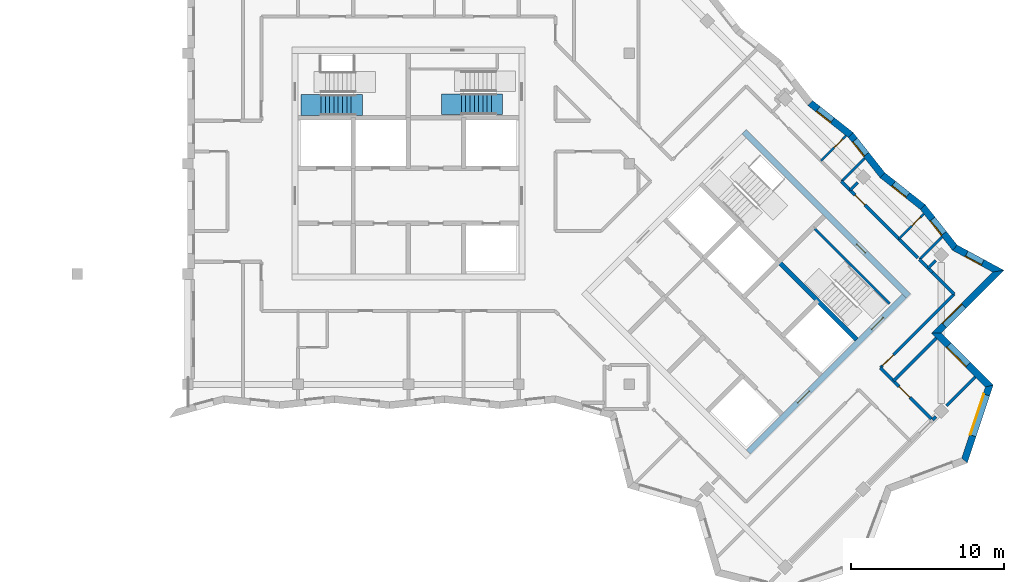
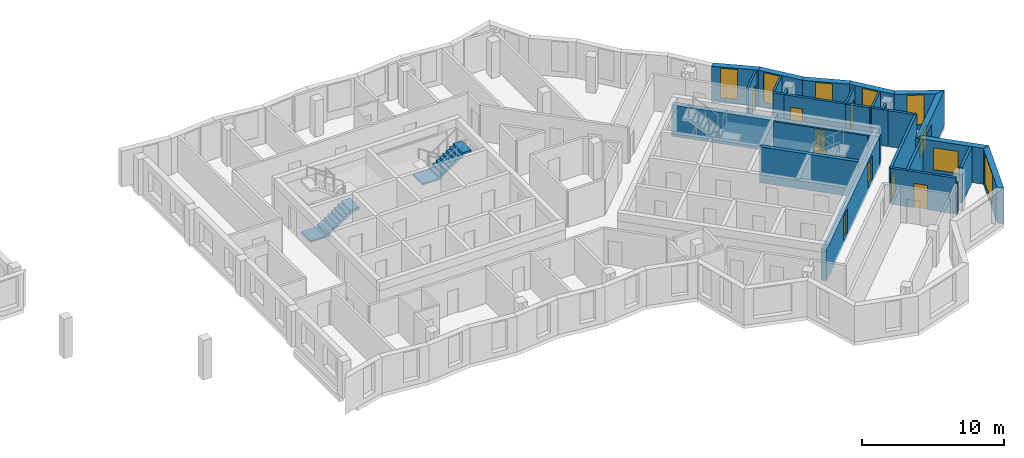
# One storey, part 7 of 12: 28 walls, 8 doors, 8 windows, 2 stair flights, 16 openings, 2 elements without a shape of their own.
"""IFC4 building model written with IfcOpenShell, lengths in metres."""

from ifc_helpers import new_model, si_unit, direction, frame, frame_2d, origin, place, context, subcontext, project, spatial, polyline, rectangle, outline, extrude, material, layer, layer_set, type_object, element, fill, aggregate, save


model = new_model("IFC4")

# Units and contexts
model_context = context("Model", 3, precision=1e-05, world=origin(), true_north=direction((0.0, 1.0)))
body_context = subcontext(model_context, "Body", "Model", "MODEL_VIEW")
ifc_project = project(units=[si_unit("LENGTHUNIT", "METRE"), si_unit("AREAUNIT", "SQUARE_METRE"), si_unit("VOLUMEUNIT", "CUBIC_METRE"), si_unit("PLANEANGLEUNIT", "RADIAN"), si_unit("MASSUNIT", "GRAM", prefix="KILO")], contexts=[model_context])

# Site, building, storey
site_placement = place(None, origin())
site = spatial("IfcSite", under=ifc_project, at=site_placement, CompositionType="ELEMENT")
building_placement = place(site_placement, origin())
building = spatial("IfcBuilding", under=site, at=building_placement, Name="Windrow Commons", CompositionType="ELEMENT")
storey_placement = place(building_placement, frame((0.0, 0.0, 254.0)))
storey = spatial("IfcBuildingStorey", under=building, at=storey_placement, Name="L69", CompositionType="ELEMENT", Elevation=254.0)

# Wall, opening, window
ifc_material_1 = material(Name="Brick masonry, red clay brick", Category="masonry")
ifc_layer_1 = layer(ifc_material_1, 0.45)
ifc_layer_set_1 = layer_set([ifc_layer_1], Name="Brick facade wall 450")
wall_type_1 = type_object("IfcWallType", Name="Brick facade wall 450", PredefinedType="SOLIDWALL", material=ifc_layer_set_1)
wall_1_placement = place(storey_placement, frame((101.0824, 38.2322, 0.0), z_axis=(0.0, 0.0, 1.0), x_axis=(0.316227766, 0.9486832981, 0.0)))
wall_1 = element("IfcWall", 1, at=wall_1_placement, inside=storey, type_object=wall_type_1, Name="Brick facade wall L69 4", PredefinedType="SOLIDWALL", context=body_context, shape_type="SweptSolid", body=[
    extrude(outline(polyline([(-0.1078, -0.225), (5.2588, -0.225), (4.9807, 0.225), (0.1078, 0.225), (-0.1078, -0.225)])), origin(), (0.0, 0.0, 1.0), 3.1),
])
opening_1_placement = place(wall_1_placement, frame((1.7112, 0.0, 0.45)))
opening_1 = element("IfcOpeningElement", 2, at=opening_1_placement, cuts=wall_1, Name="Opening W1V", PredefinedType="OPENING", context=body_context, shape_type="SweptSolid", body=[
    extrude(rectangle(XDim=2.8, YDim=2.55, at=frame_2d((1.4, 1.275))), frame((0.0, 0.235, 0.0), z_axis=(0.0, -1.0, 0.0), x_axis=(1.0, 0.0, 0.0)), (0.0, 0.0, 1.0), 0.47),
])
ifc_material_2 = material(Name="Clear float glass in anodised aluminium frame", Category="aluminium")
window_type_1 = type_object("IfcWindowType", Name="Window W1V bedroom 2800x2550", PartitioningType="SINGLE_PANEL", PredefinedType="WINDOW", material=ifc_material_2)
window_1_placement = place(opening_1_placement, origin())
window_1 = element("IfcWindow", 3, at=window_1_placement, inside=storey, type_object=window_type_1, Name="Window L69 4.1", OverallHeight=2.55, OverallWidth=2.8, PartitioningType="SINGLE_PANEL", PredefinedType="WINDOW", context=body_context, shape_type="SweptSolid", body=[
    extrude(rectangle(XDim=2.8, YDim=2.55, at=frame_2d((1.4, 1.275))), frame((0.0, 0.205, 0.0), z_axis=(0.0, -1.0, 0.0), x_axis=(1.0, 0.0, 0.0)), (0.0, 0.0, 1.0), 0.06),
])
fill(opening_1, window_1)

wall_2_placement = place(storey_placement, frame((102.7014, 43.0892, 0.0), z_axis=(0.0, 0.0, 1.0), x_axis=(-0.7070965479, 0.7071170144, 0.0)))
wall_2 = element("IfcWall", 4, at=wall_2_placement, inside=storey, type_object=wall_type_1, Name="Brick facade wall L69 5", PredefinedType="SOLIDWALL", context=body_context, shape_type="SweptSolid", body=[
    extrude(outline(polyline([(-0.1391, -0.225), (4.661, -0.225), (5.111, 0.225), (0.1391, 0.225), (-0.1391, -0.225)])), origin(), (0.0, 0.0, 1.0), 3.1),
])
opening_2_placement = place(wall_2_placement, frame((1.9735, 0.0, 0.6)))
opening_2 = element("IfcOpeningElement", 5, at=opening_2_placement, cuts=wall_2, Name="Opening W1L", PredefinedType="OPENING", context=body_context, shape_type="SweptSolid", body=[
    extrude(rectangle(XDim=1.8, YDim=1.9, at=frame_2d((0.9, 0.95))), frame((0.0, 0.235, 0.0), z_axis=(0.0, -1.0, 0.0), x_axis=(1.0, 0.0, 0.0)), (0.0, 0.0, 1.0), 0.47),
])
ifc_material_3 = material(Name="Clear float glass in anodised aluminium frame", Category="aluminium")
window_type_2 = type_object("IfcWindowType", Name="Window W1L bedroom 1800x1900", PartitioningType="SINGLE_PANEL", PredefinedType="WINDOW", material=ifc_material_3)
window_2_placement = place(opening_2_placement, origin())
window_2 = element("IfcWindow", 6, at=window_2_placement, inside=storey, type_object=window_type_2, Name="Window L69 5.1", OverallHeight=1.9, OverallWidth=1.8, PartitioningType="SINGLE_PANEL", PredefinedType="WINDOW", context=body_context, shape_type="SweptSolid", body=[
    extrude(rectangle(XDim=1.8, YDim=1.9, at=frame_2d((0.9, 0.95))), frame((0.0, 0.205, 0.0), z_axis=(0.0, -1.0, 0.0), x_axis=(1.0, 0.0, 0.0)), (0.0, 0.0, 1.0), 0.06),
])
fill(opening_2, window_2)

wall_3_placement = place(storey_placement, frame((99.2465, 46.5442, 0.0), z_axis=(0.0, 0.0, 1.0), x_axis=(0.7071067812, 0.7071067812, 0.0)))
wall_3 = element("IfcWall", 7, at=wall_3_placement, inside=storey, type_object=wall_type_1, Name="Brick facade wall L69 6", PredefinedType="SOLIDWALL", context=body_context, shape_type="SweptSolid", body=[
    extrude(outline(polyline([(0.225, -0.225), (6.016, -0.225), (5.4126, 0.225), (-0.225, 0.225), (0.225, -0.225)])), origin(), (0.0, 0.0, 1.0), 3.1),
])
opening_3_placement = place(wall_3_placement, frame((0.7125, 0.0, 0.6)))
opening_3 = element("IfcOpeningElement", 8, at=opening_3_placement, cuts=wall_3, Name="Opening W1L", PredefinedType="OPENING", context=body_context, shape_type="SweptSolid", body=[
    extrude(rectangle(XDim=1.8, YDim=1.9, at=frame_2d((0.9, 0.95))), frame((0.0, 0.235, 0.0), z_axis=(0.0, -1.0, 0.0), x_axis=(1.0, 0.0, 0.0)), (0.0, 0.0, 1.0), 0.47),
])
window_3_placement = place(opening_3_placement, origin())
window_3 = element("IfcWindow", 9, at=window_3_placement, inside=storey, type_object=window_type_2, Name="Window L69 6.1", OverallHeight=1.9, OverallWidth=1.8, PartitioningType="SINGLE_PANEL", PredefinedType="WINDOW", context=body_context, shape_type="SweptSolid", body=[
    extrude(rectangle(XDim=1.8, YDim=1.9, at=frame_2d((0.9, 0.95))), frame((0.0, 0.205, 0.0), z_axis=(0.0, -1.0, 0.0), x_axis=(1.0, 0.0, 0.0)), (0.0, 0.0, 1.0), 0.06),
])
fill(opening_3, window_3)

wall_4_placement = place(storey_placement, frame((103.2871, 50.5848, 0.0), z_axis=(0.0, 0.0, 1.0), x_axis=(-0.8793857115, 0.4761100403, 0.0)))
wall_4 = element("IfcWall", 10, at=wall_4_placement, inside=storey, type_object=wall_type_1, Name="Brick facade wall L69 7", PredefinedType="SOLIDWALL", context=body_context, shape_type="SweptSolid", body=[
    extrude(outline(polyline([(-0.3017, -0.225), (3.1734, -0.225), (3.266, 0.225), (0.3017, 0.225), (-0.3017, -0.225)])), origin(), (0.0, 0.0, 1.0), 3.1),
])
opening_4_placement = place(wall_4_placement, frame((1.1607, 0.0, 0.45)))
opening_4 = element("IfcOpeningElement", 11, at=opening_4_placement, cuts=wall_4, Name="Opening W7F", PredefinedType="OPENING", context=body_context, shape_type="SweptSolid", body=[
    extrude(rectangle(XDim=1.2, YDim=2.55, at=frame_2d((0.6, 1.275))), frame((0.0, 0.235, 0.0), z_axis=(0.0, -1.0, 0.0), x_axis=(1.0, 0.0, 0.0)), (0.0, 0.0, 1.0), 0.47),
])
ifc_material_4 = material(Name="Clear float glass in anodised aluminium frame", Category="aluminium")
window_type_3 = type_object("IfcWindowType", Name="Window W7 notch 1200x2550", PartitioningType="SINGLE_PANEL", PredefinedType="WINDOW", material=ifc_material_4)
window_4_placement = place(opening_4_placement, origin())
window_4 = element("IfcWindow", 12, at=window_4_placement, inside=storey, type_object=window_type_3, Name="Window L69 7.1", OverallHeight=2.55, OverallWidth=1.2, PartitioningType="SINGLE_PANEL", PredefinedType="WINDOW", context=body_context, shape_type="SweptSolid", body=[
    extrude(rectangle(XDim=1.2, YDim=2.55, at=frame_2d((0.6, 1.275))), frame((0.0, 0.205, 0.0), z_axis=(0.0, -1.0, 0.0), x_axis=(1.0, 0.0, 0.0)), (0.0, 0.0, 1.0), 0.06),
])
fill(opening_4, window_4)

wall_5_placement = place(storey_placement, frame((100.4558, 52.1177, 0.0), z_axis=(0.0, 0.0, 1.0), x_axis=(-0.6198499423, 0.7847203636, 0.0)))
wall_5 = element("IfcWall", 13, at=wall_5_placement, inside=storey, type_object=wall_type_1, Name="Brick facade wall L69 8", PredefinedType="SOLIDWALL", context=body_context, shape_type="SweptSolid", body=[
    extrude(outline(polyline([(0.0463, -0.225), (3.3999, -0.225), (3.3471, 0.225), (-0.0463, 0.225), (0.0463, -0.225)])), origin(), (0.0, 0.0, 1.0), 3.1),
])
opening_5_placement = place(wall_5_placement, frame((1.1736, 0.0, 0.45)))
opening_5 = element("IfcOpeningElement", 14, at=opening_5_placement, cuts=wall_5, Name="Opening W7F", PredefinedType="OPENING", context=body_context, shape_type="SweptSolid", body=[
    extrude(rectangle(XDim=1.2, YDim=2.55, at=frame_2d((0.6, 1.275))), frame((0.0, 0.235, 0.0), z_axis=(0.0, -1.0, 0.0), x_axis=(1.0, 0.0, 0.0)), (0.0, 0.0, 1.0), 0.47),
])
window_5_placement = place(opening_5_placement, origin())
window_5 = element("IfcWindow", 15, at=window_5_placement, inside=storey, type_object=window_type_3, Name="Window L69 8.1", OverallHeight=2.55, OverallWidth=1.2, PartitioningType="SINGLE_PANEL", PredefinedType="WINDOW", context=body_context, shape_type="SweptSolid", body=[
    extrude(rectangle(XDim=1.2, YDim=2.55, at=frame_2d((0.6, 1.275))), frame((0.0, 0.205, 0.0), z_axis=(0.0, -1.0, 0.0), x_axis=(1.0, 0.0, 0.0)), (0.0, 0.0, 1.0), 0.06),
])
fill(opening_5, window_5)

wall_6_placement = place(storey_placement, frame((98.3647, 54.765, 0.0), z_axis=(0.0, 0.0, 1.0), x_axis=(-0.7847316147, 0.6198356984, 0.0)))
wall_6 = element("IfcWall", 16, at=wall_6_placement, inside=storey, type_object=wall_type_1, Name="Brick facade wall L69 9", PredefinedType="SOLIDWALL", context=body_context, shape_type="SweptSolid", body=[
    extrude(outline(polyline([(-0.0264, -0.225), (3.3272, -0.225), (3.38, 0.225), (0.0264, 0.225), (-0.0264, -0.225)])), origin(), (0.0, 0.0, 1.0), 3.1),
])
opening_6_placement = place(wall_6_placement, frame((1.2479, 0.0, 0.45)))
opening_6 = element("IfcOpeningElement", 17, at=opening_6_placement, cuts=wall_6, Name="Opening W7F", PredefinedType="OPENING", context=body_context, shape_type="SweptSolid", body=[
    extrude(rectangle(XDim=1.2, YDim=2.55, at=frame_2d((0.6, 1.275))), frame((0.0, 0.235, 0.0), z_axis=(0.0, -1.0, 0.0), x_axis=(1.0, 0.0, 0.0)), (0.0, 0.0, 1.0), 0.47),
])
window_6_placement = place(opening_6_placement, origin())
window_6 = element("IfcWindow", 18, at=window_6_placement, inside=storey, type_object=window_type_3, Name="Window L69 9.1", OverallHeight=2.55, OverallWidth=1.2, PartitioningType="SINGLE_PANEL", PredefinedType="WINDOW", context=body_context, shape_type="SweptSolid", body=[
    extrude(rectangle(XDim=1.2, YDim=2.55, at=frame_2d((0.6, 1.275))), frame((0.0, 0.205, 0.0), z_axis=(0.0, -1.0, 0.0), x_axis=(1.0, 0.0, 0.0)), (0.0, 0.0, 1.0), 0.06),
])
fill(opening_6, window_6)

wall_7_placement = place(storey_placement, frame((95.733, 56.8437, 0.0), z_axis=(0.0, 0.0, 1.0), x_axis=(-0.6198356984, 0.7847316147, 0.0)))
wall_7 = element("IfcWall", 19, at=wall_7_placement, inside=storey, type_object=wall_type_1, Name="Brick facade wall L69 10", PredefinedType="SOLIDWALL", context=body_context, shape_type="SweptSolid", body=[
    extrude(outline(polyline([(0.0264, -0.225), (3.38, -0.225), (3.3272, 0.225), (-0.0264, 0.225), (0.0264, -0.225)])), origin(), (0.0, 0.0, 1.0), 3.1),
])
opening_7_placement = place(wall_7_placement, frame((1.7202, 0.0, 0.45)))
opening_7 = element("IfcOpeningElement", 20, at=opening_7_placement, cuts=wall_7, Name="Opening W7F", PredefinedType="OPENING", context=body_context, shape_type="SweptSolid", body=[
    extrude(rectangle(XDim=1.2, YDim=2.55, at=frame_2d((0.6, 1.275))), frame((0.0, 0.235, 0.0), z_axis=(0.0, -1.0, 0.0), x_axis=(1.0, 0.0, 0.0)), (0.0, 0.0, 1.0), 0.47),
])
window_7_placement = place(opening_7_placement, origin())
window_7 = element("IfcWindow", 21, at=window_7_placement, inside=storey, type_object=window_type_3, Name="Window L69 10.1", OverallHeight=2.55, OverallWidth=1.2, PartitioningType="SINGLE_PANEL", PredefinedType="WINDOW", context=body_context, shape_type="SweptSolid", body=[
    extrude(rectangle(XDim=1.2, YDim=2.55, at=frame_2d((0.6, 1.275))), frame((0.0, 0.205, 0.0), z_axis=(0.0, -1.0, 0.0), x_axis=(1.0, 0.0, 0.0)), (0.0, 0.0, 1.0), 0.06),
])
fill(opening_7, window_7)

wall_8_placement = place(storey_placement, frame((93.6543, 59.4754, 0.0), z_axis=(0.0, 0.0, 1.0), x_axis=(-0.7847316147, 0.6198356984, 0.0)))
wall_8 = element("IfcWall", 22, at=wall_8_placement, inside=storey, type_object=wall_type_1, Name="Brick facade wall L69 11", PredefinedType="SOLIDWALL", context=body_context, shape_type="SweptSolid", body=[
    extrude(outline(polyline([(-0.0264, -0.225), (3.3272, -0.225), (3.38, 0.225), (0.0264, 0.225), (-0.0264, -0.225)])), origin(), (0.0, 0.0, 1.0), 3.1),
])
opening_8_placement = place(wall_8_placement, frame((1.519, 0.0, 0.45)))
opening_8 = element("IfcOpeningElement", 23, at=opening_8_placement, cuts=wall_8, Name="Opening W7F", PredefinedType="OPENING", context=body_context, shape_type="SweptSolid", body=[
    extrude(rectangle(XDim=1.2, YDim=2.55, at=frame_2d((0.6, 1.275))), frame((0.0, 0.235, 0.0), z_axis=(0.0, -1.0, 0.0), x_axis=(1.0, 0.0, 0.0)), (0.0, 0.0, 1.0), 0.47),
])
window_8_placement = place(opening_8_placement, origin())
window_8 = element("IfcWindow", 24, at=window_8_placement, inside=storey, type_object=window_type_3, Name="Window L69 11.1", OverallHeight=2.55, OverallWidth=1.2, PartitioningType="SINGLE_PANEL", PredefinedType="WINDOW", context=body_context, shape_type="SweptSolid", body=[
    extrude(rectangle(XDim=1.2, YDim=2.55, at=frame_2d((0.6, 1.275))), frame((0.0, 0.205, 0.0), z_axis=(0.0, -1.0, 0.0), x_axis=(1.0, 0.0, 0.0)), (0.0, 0.0, 1.0), 0.06),
])
fill(opening_8, window_8)

# Wall, opening, door
ifc_material_5 = material(Name="Blockwork partition", Category="masonry")
ifc_layer_2 = layer(ifc_material_5, 0.2)
ifc_layer_set_2 = layer_set([ifc_layer_2], Name="IW-CORRIDOR-200")
wall_type_2 = type_object("IfcWallType", Name="IW-CORRIDOR-200", PredefinedType="PARTITIONING", material=ifc_layer_set_2)
wall_9_placement = place(storey_placement, frame((95.6049, 44.2831, 0.0), z_axis=(0.0, 0.0, 1.0), x_axis=(0.7071067812, 0.7071067812, 0.0)))
wall_9 = element("IfcWall", 25, at=wall_9_placement, inside=storey, type_object=wall_type_2, Name="W-L69-W011", PredefinedType="PARTITIONING", context=body_context, shape_type="SweptSolid", body=[
    extrude(rectangle(XDim=6.7995, YDim=0.2, at=frame_2d((3.3998, 0.0))), origin(), (0.0, 0.0, 1.0), 3.1),
])
opening_9_placement = place(wall_9_placement, frame((0.1925, 0.0, 0.0)))
opening_9 = element("IfcOpeningElement", 26, at=opening_9_placement, cuts=wall_9, Name="Opening D310F", PredefinedType="OPENING", context=body_context, shape_type="SweptSolid", body=[
    extrude(rectangle(XDim=1.0, YDim=2.1, at=frame_2d((0.5, 1.05))), frame((0.0, 0.11, 0.0), z_axis=(0.0, -1.0, 0.0), x_axis=(1.0, 0.0, 0.0)), (0.0, 0.0, 1.0), 0.22),
])
ifc_material_6 = material(Name="Timber door leaf", Category="wood")
door_type_1 = type_object("IfcDoorType", Name="DT-AMENITY-1000", OperationType="SINGLE_SWING_LEFT", PredefinedType="DOOR", material=ifc_material_6)
door_1_placement = place(opening_9_placement, origin())
door_1 = element("IfcDoor", 27, at=door_1_placement, inside=storey, type_object=door_type_1, Name="D-L69-D019", OperationType="SINGLE_SWING_LEFT", OverallHeight=2.1, OverallWidth=1.0, PredefinedType="DOOR", context=body_context, shape_type="SweptSolid", body=[
    extrude(rectangle(XDim=1.0, YDim=2.1, at=frame_2d((0.5, 1.05))), frame((0.0, 0.025, 0.0), z_axis=(0.0, -1.0, 0.0), x_axis=(1.0, 0.0, 0.0)), (0.0, 0.0, 1.0), 0.05),
])
fill(opening_9, door_1)

wall_10_placement = place(storey_placement, frame((95.6029, 44.2769, 0.0), z_axis=(0.0, 0.0, 1.0), x_axis=(0.7071067812, -0.7071067812, 0.0)))
wall_10 = element("IfcWall", 28, at=wall_10_placement, inside=storey, type_object=wall_type_2, Name="W-L69-W020", PredefinedType="PARTITIONING", context=body_context, shape_type="SweptSolid", body=[
    extrude(rectangle(XDim=4.797, YDim=0.2, at=frame_2d((2.3985, 0.0))), origin(), (0.0, 0.0, 1.0), 3.1),
])
opening_10_placement = place(wall_10_placement, frame((1.7232, 0.0, 0.0)))
opening_10 = element("IfcOpeningElement", 29, at=opening_10_placement, cuts=wall_10, Name="Opening D310F", PredefinedType="OPENING", context=body_context, shape_type="SweptSolid", body=[
    extrude(rectangle(XDim=1.0, YDim=2.1, at=frame_2d((0.5, 1.05))), frame((0.0, 0.11, 0.0), z_axis=(0.0, -1.0, 0.0), x_axis=(1.0, 0.0, 0.0)), (0.0, 0.0, 1.0), 0.22),
])
door_2_placement = place(opening_10_placement, origin())
door_2 = element("IfcDoor", 30, at=door_2_placement, inside=storey, type_object=door_type_1, Name="D-L69-D029", OperationType="SINGLE_SWING_RIGHT", OverallHeight=2.1, OverallWidth=1.0, PredefinedType="DOOR", context=body_context, shape_type="SweptSolid", body=[
    extrude(rectangle(XDim=1.0, YDim=2.1, at=frame_2d((0.5, 1.05))), frame((0.0, 0.025, 0.0), z_axis=(0.0, -1.0, 0.0), x_axis=(1.0, 0.0, 0.0)), (0.0, 0.0, 1.0), 0.05),
])
fill(opening_10, door_2)

wall_11_placement = place(storey_placement, frame((93.6213, 55.8753, 0.0), z_axis=(0.0, 0.0, 1.0), x_axis=(0.7071067812, -0.7071067812, 0.0)))
wall_11 = element("IfcWall", 31, at=wall_11_placement, inside=storey, type_object=wall_type_2, Name="W-L69-W023", PredefinedType="PARTITIONING", context=body_context, shape_type="SweptSolid", body=[
    extrude(rectangle(XDim=4.5, YDim=0.2, at=frame_2d((2.25, 0.0))), origin(), (0.0, 0.0, 1.0), 3.1),
])
opening_11_placement = place(wall_11_placement, frame((0.4673, 0.0, 0.0)))
opening_11 = element("IfcOpeningElement", 32, at=opening_11_placement, cuts=wall_11, Name="Opening D109S", PredefinedType="OPENING", context=body_context, shape_type="SweptSolid", body=[
    extrude(rectangle(XDim=0.9, YDim=2.1, at=frame_2d((0.45, 1.05))), frame((0.0, 0.11, 0.0), z_axis=(0.0, -1.0, 0.0), x_axis=(1.0, 0.0, 0.0)), (0.0, 0.0, 1.0), 0.22),
])
ifc_material_7 = material(Name="Timber door leaf", Category="wood")
door_type_2 = type_object("IfcDoorType", Name="DT-BEDROOM-900", OperationType="SINGLE_SWING_LEFT", PredefinedType="DOOR", material=ifc_material_7)
door_3_placement = place(opening_11_placement, origin())
door_3 = element("IfcDoor", 33, at=door_3_placement, inside=storey, type_object=door_type_2, Name="D-L69-D023", OperationType="SINGLE_SWING_LEFT", OverallHeight=2.1, OverallWidth=0.9, PredefinedType="DOOR", context=body_context, shape_type="SweptSolid", body=[
    extrude(rectangle(XDim=0.9, YDim=2.1, at=frame_2d((0.45, 1.05))), frame((0.0, 0.025, 0.0), z_axis=(0.0, -1.0, 0.0), x_axis=(1.0, 0.0, 0.0)), (0.0, 0.0, 1.0), 0.05),
])
fill(opening_11, door_3)

# Walls
wall_12_placement = place(storey_placement, frame((98.9983, 50.5043, 0.0), z_axis=(0.0, 0.0, 1.0), x_axis=(0.7076063266, -0.7066068826, 0.0)))
element("IfcWall", 34, at=wall_12_placement, inside=storey, type_object=wall_type_2, Name="W-L69-W065", PredefinedType="PARTITIONING", context=body_context, shape_type="SweptSolid", body=[
    extrude(rectangle(XDim=2.0011, YDim=0.2, at=frame_2d((1.0006, 0.0))), origin(), (0.0, 0.0, 1.0), 3.1),
])
wall_13_placement = place(storey_placement, frame((96.8046, 52.6946, 0.0), z_axis=(0.0, 0.0, 1.0), x_axis=(0.7073923078, -0.7068211392, 0.0)))
element("IfcWall", 35, at=wall_13_placement, inside=storey, type_object=wall_type_2, Name="W-L69-W069", PredefinedType="PARTITIONING", context=body_context, shape_type="SweptSolid", body=[
    extrude(rectangle(XDim=1.7508, YDim=0.2, at=frame_2d((0.8754, 0.0))), origin(), (0.0, 0.0, 1.0), 3.1),
])
wall_14_placement = place(storey_placement, frame((98.1473, 51.3493, 0.0), z_axis=(0.0, 0.0, 1.0), x_axis=(0.7071067812, -0.7071067812, 0.0)))
element("IfcWall", 36, at=wall_14_placement, inside=storey, type_object=wall_type_2, Name="W-L69-W075", PredefinedType="PARTITIONING", context=body_context, shape_type="SweptSolid", body=[
    extrude(rectangle(XDim=1.1993, YDim=0.2, at=frame_2d((0.5997, 0.0))), origin(), (0.0, 0.0, 1.0), 3.1),
])
wall_15_placement = place(storey_placement, frame((93.0593, 56.4433, 0.0), z_axis=(0.0, 0.0, 1.0), x_axis=(0.7058541592, -0.7083571881, 0.0)))
element("IfcWall", 37, at=wall_15_placement, inside=storey, type_object=wall_type_2, Name="W-L69-W079", PredefinedType="PARTITIONING", context=body_context, shape_type="SweptSolid", body=[
    extrude(rectangle(XDim=0.799, YDim=0.2, at=frame_2d((0.3995, 0.0))), origin(), (0.0, 0.0, 1.0), 3.1),
])

# Wall, opening, door
ifc_material_8 = material(Name="Blockwork partition", Category="masonry")
ifc_layer_3 = layer(ifc_material_8, 0.15)
ifc_layer_set_3 = layer_set([ifc_layer_3], Name="IW-ENSUITE-150")
wall_type_3 = type_object("IfcWallType", Name="IW-ENSUITE-150", PredefinedType="PARTITIONING", material=ifc_layer_set_3)
wall_16_placement = place(storey_placement, frame((91.7155, 57.7885, 0.0), z_axis=(0.0, 0.0, 1.0), x_axis=(0.7070851944, 0.7071283673, 0.0)))
wall_16 = element("IfcWall", 38, at=wall_16_placement, inside=storey, type_object=wall_type_3, Name="W-L69-W055", PredefinedType="PARTITIONING", context=body_context, shape_type="SweptSolid", body=[
    extrude(rectangle(XDim=2.3163, YDim=0.15, at=frame_2d((1.1582, 0.0))), origin(), (0.0, 0.0, 1.0), 3.1),
])
opening_12_placement = place(wall_16_placement, frame((1.2087, 0.0, 0.0)))
opening_12 = element("IfcOpeningElement", 39, at=opening_12_placement, cuts=wall_16, Name="Opening D208N", PredefinedType="OPENING", context=body_context, shape_type="SweptSolid", body=[
    extrude(rectangle(XDim=0.8, YDim=2.1, at=frame_2d((0.4, 1.05))), frame((0.0, 0.085, 0.0), z_axis=(0.0, -1.0, 0.0), x_axis=(1.0, 0.0, 0.0)), (0.0, 0.0, 1.0), 0.17),
])
ifc_material_9 = material(Name="Timber door leaf", Category="wood")
door_type_3 = type_object("IfcDoorType", Name="DT-ENSUITE-800", OperationType="SINGLE_SWING_LEFT", PredefinedType="DOOR", material=ifc_material_9)
door_4_placement = place(opening_12_placement, origin())
door_4 = element("IfcDoor", 40, at=door_4_placement, inside=storey, type_object=door_type_3, Name="D-L69-D022", OperationType="SINGLE_SWING_RIGHT", OverallHeight=2.1, OverallWidth=0.8, PredefinedType="DOOR", context=body_context, shape_type="SweptSolid", body=[
    extrude(rectangle(XDim=0.8, YDim=2.1, at=frame_2d((0.4, 1.05))), frame((0.0, 0.025, 0.0), z_axis=(0.0, -1.0, 0.0), x_axis=(1.0, 0.0, 0.0)), (0.0, 0.0, 1.0), 0.05),
])
fill(opening_12, door_4)

wall_17_placement = place(storey_placement, frame((96.8057, 52.6963, 0.0), z_axis=(0.0, 0.0, 1.0), x_axis=(0.707085007, 0.7071285547, 0.0)))
wall_17 = element("IfcWall", 41, at=wall_17_placement, inside=storey, type_object=wall_type_3, Name="W-L69-W059", PredefinedType="PARTITIONING", context=body_context, shape_type="SweptSolid", body=[
    extrude(rectangle(XDim=2.2963, YDim=0.15, at=frame_2d((1.1482, 0.0))), origin(), (0.0, 0.0, 1.0), 3.1),
])
opening_13_placement = place(wall_17_placement, frame((1.1886, 0.0, 0.0)))
opening_13 = element("IfcOpeningElement", 42, at=opening_13_placement, cuts=wall_17, Name="Opening D208N", PredefinedType="OPENING", context=body_context, shape_type="SweptSolid", body=[
    extrude(rectangle(XDim=0.8, YDim=2.1, at=frame_2d((0.4, 1.05))), frame((0.0, 0.085, 0.0), z_axis=(0.0, -1.0, 0.0), x_axis=(1.0, 0.0, 0.0)), (0.0, 0.0, 1.0), 0.17),
])
door_5_placement = place(opening_13_placement, origin())
door_5 = element("IfcDoor", 43, at=door_5_placement, inside=storey, type_object=door_type_3, Name="D-L69-D024", OperationType="SINGLE_SWING_RIGHT", OverallHeight=2.1, OverallWidth=0.8, PredefinedType="DOOR", context=body_context, shape_type="SweptSolid", body=[
    extrude(rectangle(XDim=0.8, YDim=2.1, at=frame_2d((0.4, 1.05))), frame((0.0, 0.025, 0.0), z_axis=(0.0, -1.0, 0.0), x_axis=(1.0, 0.0, 0.0)), (0.0, 0.0, 1.0), 0.05),
])
fill(opening_13, door_5)

# Walls
wall_18_placement = place(storey_placement, frame((93.059, 56.445, 0.0), z_axis=(0.0, 0.0, 1.0), x_axis=(0.7071067812, 0.7071067812, 0.0)))
element("IfcWall", 44, at=wall_18_placement, inside=storey, type_object=wall_type_3, Name="W-L69-W060", PredefinedType="PARTITIONING", context=body_context, shape_type="SweptSolid", body=[
    extrude(rectangle(XDim=2.135, YDim=0.15, at=frame_2d((1.0675, 0.0))), origin(), (0.0, 0.0, 1.0), 3.1),
])
wall_19_placement = place(storey_placement, frame((98.1492, 51.3528, 0.0), z_axis=(0.0, 0.0, 1.0), x_axis=(0.7070826647, 0.7071308968, 0.0)))
element("IfcWall", 45, at=wall_19_placement, inside=storey, type_object=wall_type_3, Name="W-L69-W064", PredefinedType="PARTITIONING", context=body_context, shape_type="SweptSolid", body=[
    extrude(rectangle(XDim=2.0733, YDim=0.15, at=frame_2d((1.0367, 0.0))), origin(), (0.0, 0.0, 1.0), 3.1),
])
ifc_material_10 = material(Name="Blockwork partition", Category="masonry")
ifc_layer_4 = layer(ifc_material_10, 0.2)
ifc_layer_set_4 = layer_set([ifc_layer_4], Name="IW-PARTY-200")
wall_type_4 = type_object("IfcWallType", Name="IW-PARTY-200", PredefinedType="PARTITIONING", material=ifc_layer_set_4)
wall_20_placement = place(storey_placement, frame((96.4552, 43.4308, 0.0), z_axis=(0.0, 0.0, 1.0), x_axis=(0.7068409254, 0.707372537, 0.0)))
element("IfcWall", 46, at=wall_20_placement, inside=storey, type_object=wall_type_4, Name="W-L69-W033", PredefinedType="PARTITIONING", context=body_context, shape_type="SweptSolid", body=[
    extrude(rectangle(XDim=3.9503, YDim=0.2, at=frame_2d((1.9751, 0.0))), origin(), (0.0, 0.0, 1.0), 3.1),
])
wall_21_placement = place(storey_placement, frame((99.9105, 41.8075, 0.0), z_axis=(0.0, 0.0, 1.0), x_axis=(0.7075021757, 0.7067111654, 0.0)))
element("IfcWall", 47, at=wall_21_placement, inside=storey, type_object=wall_type_4, Name="W-L69-W045", PredefinedType="PARTITIONING", context=body_context, shape_type="SweptSolid", body=[
    extrude(rectangle(XDim=2.6548, YDim=0.2, at=frame_2d((1.3274, 0.0))), origin(), (0.0, 0.0, 1.0), 3.1),
])
for number, where, z_axis, x_axis, name in (
    (48, (93.6237, 55.8783, 0.0), (0.0, 0.0, 1.0), (0.7071067812, 0.7071067812, 0.0), "W-L69-W080"),
    (49, (98.7148, 50.7872, 0.0), (0.0, 0.0, 1.0), (0.7071067812, 0.7071067812, 0.0), "W-L69-W081"),
):
    element("IfcWall", number, at=place(storey_placement, frame(where, z_axis=z_axis, x_axis=x_axis)), inside=storey, type_object=wall_type_4, Name=name, PredefinedType="PARTITIONING", context=body_context, shape_type="SweptSolid", body=[
        extrude(rectangle(XDim=0.7071, YDim=0.2, at=frame_2d((0.3535, 0.0))), origin(), (0.0, 0.0, 1.0), 3.1),
    ])
wall_22_placement = place(storey_placement, frame((98.998, 40.888, 0.0), z_axis=(0.0, 0.0, 1.0), x_axis=(0.7071067812, 0.7071067812, 0.0)))
element("IfcWall", 50, at=wall_22_placement, inside=storey, type_object=wall_type_4, Name="W-L69-W103", PredefinedType="PARTITIONING", context=body_context, shape_type="SweptSolid", body=[
    extrude(rectangle(XDim=0.3055, YDim=0.2, at=frame_2d((0.1527, 0.0))), origin(), (0.0, 0.0, 1.0), 2.6),
])

# Wall, opening, door
ifc_material_11 = material(Name="Concrete C40/50", Category="concrete")
ifc_layer_5 = layer(ifc_material_11, 0.4)
ifc_layer_set_5 = layer_set([ifc_layer_5], Name="RC CORE WALL 400 C40/50")
wall_type_5 = type_object("IfcWallType", Name="RC CORE WALL 400 C40/50", PredefinedType="SHEAR", material=ifc_layer_set_5)
wall_23_placement = place(storey_placement, frame((86.6953, 59.6963, -0.3), z_axis=(0.0, 0.0, 1.0), x_axis=(0.7071100706, -0.7071034917, 0.0)))
wall_23 = element("IfcWall", 51, at=wall_23_placement, inside=storey, type_object=wall_type_5, Name="Core B wall outer-N", PredefinedType="SHEAR", context=body_context, shape_type="SweptSolid", body=[
    extrude(rectangle(XDim=15.2, YDim=0.4, at=frame_2d((7.6, 0.0))), origin(), (0.0, 0.0, 1.0), 2.7),
])
opening_14_placement = place(wall_23_placement, frame((10.4, 0.0, 0.3)))
opening_14 = element("IfcOpeningElement", 52, at=opening_14_placement, cuts=wall_23, Name="Opening D9", PredefinedType="OPENING", context=body_context, shape_type="SweptSolid", body=[
    extrude(rectangle(XDim=0.8, YDim=2.1, at=frame_2d((0.4, 1.05))), frame((0.0, 0.21, 0.0), z_axis=(0.0, -1.0, 0.0), x_axis=(1.0, 0.0, 0.0)), (0.0, 0.0, 1.0), 0.42),
])
ifc_material_12 = material(Name="Steel fire door leaf", Category="steel")
door_type_4 = type_object("IfcDoorType", Name="Riser access door 800", OperationType="SINGLE_SWING_LEFT", PredefinedType="DOOR", material=ifc_material_12)
door_6_placement = place(opening_14_placement, origin())
door_6 = element("IfcDoor", 53, at=door_6_placement, inside=storey, type_object=door_type_4, Name="Riser access door", OperationType="SINGLE_SWING_RIGHT", OverallHeight=2.1, OverallWidth=0.8, PredefinedType="DOOR", context=body_context, shape_type="SweptSolid", body=[
    extrude(rectangle(XDim=0.8, YDim=2.1, at=frame_2d((0.4, 1.05))), frame((0.0, 0.025, 0.0), z_axis=(0.0, -1.0, 0.0), x_axis=(1.0, 0.0, 0.0)), (0.0, 0.0, 1.0), 0.05),
])
fill(opening_14, door_6)

# Wall, openings, doors
wall_24_placement = place(storey_placement, frame((86.9782, 38.766, -0.3), z_axis=(0.0, 0.0, 1.0), x_axis=(0.7071067812, 0.7071067812, 0.0)))
wall_24 = element("IfcWall", 54, at=wall_24_placement, inside=storey, type_object=wall_type_5, Name="Core B wall outer-E", PredefinedType="SHEAR", context=body_context, shape_type="SweptSolid", body=[
    extrude(rectangle(XDim=14.3999, YDim=0.4, at=frame_2d((7.2, 0.0))), origin(), (0.0, 0.0, 1.0), 2.7),
])
opening_15_placement = place(wall_24_placement, frame((4.55, 0.0, 0.3)))
opening_15 = element("IfcOpeningElement", 55, at=opening_15_placement, cuts=wall_24, Name="Opening D6", PredefinedType="OPENING", context=body_context, shape_type="SweptSolid", body=[
    extrude(rectangle(XDim=1.1, YDim=2.1, at=frame_2d((0.55, 1.05))), frame((0.0, 0.21, 0.0), z_axis=(0.0, -1.0, 0.0), x_axis=(1.0, 0.0, 0.0)), (0.0, 0.0, 1.0), 0.42),
])
opening_16_placement = place(wall_24_placement, frame((11.35, 0.0, 0.3)))
opening_16 = element("IfcOpeningElement", 56, at=opening_16_placement, cuts=wall_24, Name="Opening D7", PredefinedType="OPENING", context=body_context, shape_type="SweptSolid", body=[
    extrude(rectangle(XDim=1.1, YDim=2.1, at=frame_2d((0.55, 1.05))), frame((0.0, 0.21, 0.0), z_axis=(0.0, -1.0, 0.0), x_axis=(1.0, 0.0, 0.0)), (0.0, 0.0, 1.0), 0.42),
])
ifc_material_13 = material(Name="Steel fire door leaf", Category="steel")
door_type_5 = type_object("IfcDoorType", Name="Core lobby door 1100", OperationType="SINGLE_SWING_LEFT", PredefinedType="DOOR", material=ifc_material_13)
door_7_placement = place(opening_15_placement, origin())
door_7 = element("IfcDoor", 57, at=door_7_placement, inside=storey, type_object=door_type_5, Name="Lift lobby door", OperationType="DOUBLE_DOOR_SINGLE_SWING", OverallHeight=2.1, OverallWidth=1.1, PredefinedType="DOOR", context=body_context, shape_type="SweptSolid", body=[
    extrude(rectangle(XDim=1.1, YDim=2.1, at=frame_2d((0.55, 1.05))), frame((0.0, 0.025, 0.0), z_axis=(0.0, -1.0, 0.0), x_axis=(1.0, 0.0, 0.0)), (0.0, 0.0, 1.0), 0.05),
])
fill(opening_15, door_7)
ifc_material_14 = material(Name="Steel fire door leaf", Category="steel")
door_type_6 = type_object("IfcDoorType", Name="Stair door 1100", OperationType="SINGLE_SWING_LEFT", PredefinedType="DOOR", material=ifc_material_14)
door_8_placement = place(opening_16_placement, origin())
door_8 = element("IfcDoor", 58, at=door_8_placement, inside=storey, type_object=door_type_6, Name="Stair door", OperationType="SINGLE_SWING_RIGHT", OverallHeight=2.1, OverallWidth=1.1, PredefinedType="DOOR", context=body_context, shape_type="SweptSolid", body=[
    extrude(rectangle(XDim=1.1, YDim=2.1, at=frame_2d((0.55, 1.05))), frame((0.0, 0.025, 0.0), z_axis=(0.0, -1.0, 0.0), x_axis=(1.0, 0.0, 0.0)), (0.0, 0.0, 1.0), 0.05),
])
fill(opening_16, door_8)

# Walls
ifc_material_15 = material(Name="Concrete C40/50", Category="concrete")
ifc_layer_6 = layer(ifc_material_15, 0.3)
ifc_layer_set_6 = layer_set([ifc_layer_6], Name="RC SHAFT WALL 300 C40/50")
wall_type_6 = type_object("IfcWallType", Name="RC SHAFT WALL 300 C40/50", PredefinedType="SOLIDWALL", material=ifc_layer_set_6)
wall_25_placement = place(storey_placement, frame((88.9581, 51.2111, 0.0), z_axis=(0.0, 0.0, 1.0), x_axis=(0.7070998367, -0.7071137256, 0.0)))
element("IfcWall", 59, at=wall_25_placement, inside=storey, type_object=wall_type_6, Name="Core B wall stair-S2", PredefinedType="SOLIDWALL", context=body_context, shape_type="SweptSolid", body=[
    extrude(rectangle(XDim=7.2, YDim=0.3, at=frame_2d((3.6, 0.0))), origin(), (0.0, 0.0, 1.0), 3.1),
])
ifc_material_16 = material(Name="Blockwork partition", Category="masonry")
ifc_layer_7 = layer(ifc_material_16, 0.15)
ifc_layer_set_7 = layer_set([ifc_layer_7], Name="Riser partition 150")
wall_type_7 = type_object("IfcWallType", Name="Riser partition 150", PredefinedType="PARTITIONING", material=ifc_layer_set_7)
wall_26_placement = place(storey_placement, frame((91.3127, 53.3536, 0.0), z_axis=(0.0, 0.0, 1.0), x_axis=(0.7071140275, -0.7070995348, 0.0)))
element("IfcWall", 60, at=wall_26_placement, inside=storey, type_object=wall_type_7, Name="W-core-strip-B-L69", PredefinedType="PARTITIONING", context=body_context, shape_type="SweptSolid", body=[
    extrude(rectangle(XDim=6.9, YDim=0.15, at=frame_2d((3.45, 0.0))), origin(), (0.0, 0.0, 1.0), 3.1),
])

# Stair, stair flight
ifc_material_17 = material(Name="Concrete C40/50", Category="concrete")
stair_type = type_object("IfcStairType", Name="Core stair", PredefinedType="HALF_TURN_STAIR", material=ifc_material_17)
placement = place(storey_placement, origin())
stair_1 = element("IfcStair", 61, at=placement, inside=storey, type_object=stair_type, Name="L69 Exit stair A1 core A", PredefinedType="HALF_TURN_STAIR")
ifc_material_18 = material(Name="Concrete C40/50", Category="concrete")
stair_flight_type = type_object("IfcStairFlightType", Name="Core stair flight", PredefinedType="STRAIGHT", material=ifc_material_18)
stair_flight_1_placement = place(storey_placement, frame((59.1, 61.425, 0.0), z_axis=(0.0, 0.0, 1.0), x_axis=(1.0, 0.0, 0.0)))
stair_flight_1 = element("IfcStairFlight", 62, at=stair_flight_1_placement, type_object=stair_flight_type, Name="ST-A1 flight 1", NumberOfRisers=9, NumberOfTreads=8, PredefinedType="STRAIGHT", RiserHeight=0.188888889, TreadLength=0.28, context=body_context, shape_type="SweptSolid", body=[
    extrude(outline(polyline([(-1.3, -0.15), (-1.3, 0.0), (0.0, 0.0), (0.0, 0.1889), (0.28, 0.1889), (0.28, 0.3778), (0.56, 0.3778), (0.56, 0.5667), (0.84, 0.5667), (0.84, 0.7556), (1.12, 0.7556), (1.12, 0.9444), (1.4, 0.9444), (1.4, 1.1333), (1.68, 1.1333), (1.68, 1.3222), (1.96, 1.3222), (1.96, 1.5111), (2.24, 1.5111), (2.69, 1.5111), (2.69, 1.3111), (2.24, 1.3111), (2.24, 1.3302), (0.2682, 0.0), (0.2682, -0.15), (-1.3, -0.15)])), frame((0.0, 0.675, 0.0), z_axis=(0.0, -1.0, 0.0), x_axis=(1.0, 0.0, 0.0)), (0.0, 0.0, 1.0), 1.35),
])
aggregate(stair_1, [stair_flight_1])

stair_2 = element("IfcStair", 63, at=placement, inside=storey, type_object=stair_type, Name="L69 Exit stair A2 core A", PredefinedType="HALF_TURN_STAIR")
stair_flight_2_placement = place(storey_placement, frame((68.26, 61.48, 1.7), z_axis=(0.0, 0.0, 1.0), x_axis=(1.0, 0.0, 0.0)))
stair_flight_2 = element("IfcStairFlight", 64, at=stair_flight_2_placement, type_object=stair_flight_type, Name="ST-A2 flight 2", NumberOfRisers=9, NumberOfTreads=8, PredefinedType="STRAIGHT", RiserHeight=0.188888889, TreadLength=0.28, context=body_context, shape_type="SweptSolid", body=[
    extrude(outline(polyline([(-1.3, -0.15), (-1.3, 0.0), (0.0, 0.0), (0.0, 0.1889), (0.28, 0.1889), (0.28, 0.3778), (0.56, 0.3778), (0.56, 0.5667), (0.84, 0.5667), (0.84, 0.7556), (1.12, 0.7556), (1.12, 0.9444), (1.4, 0.9444), (1.4, 1.1333), (1.68, 1.1333), (1.68, 1.3222), (1.96, 1.3222), (1.96, 1.5111), (2.24, 1.5111), (2.69, 1.5111), (2.69, 1.3111), (2.24, 1.3111), (2.24, 1.3302), (0.2682, 0.0), (0.2682, -0.15), (-1.3, -0.15)])), frame((0.0, 0.675, 0.0), z_axis=(0.0, -1.0, 0.0), x_axis=(1.0, 0.0, 0.0)), (0.0, 0.0, 1.0), 1.35),
])
aggregate(stair_2, [stair_flight_2])

save(model, "model.ifc")
